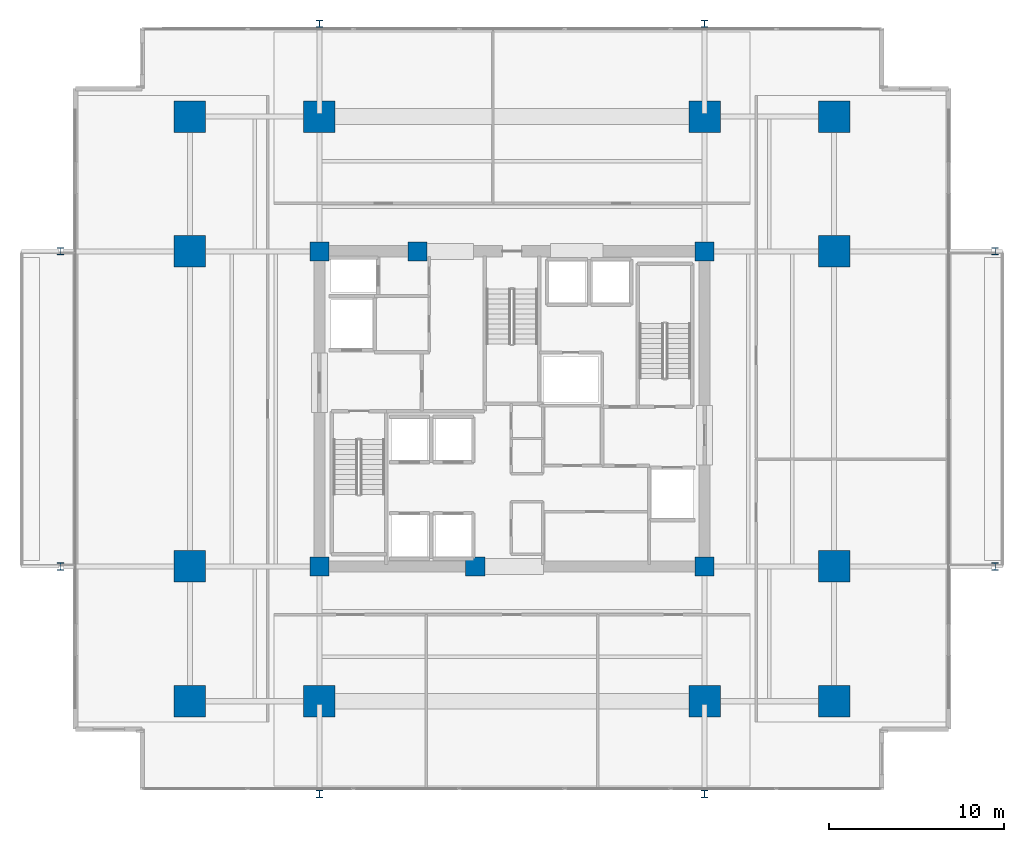
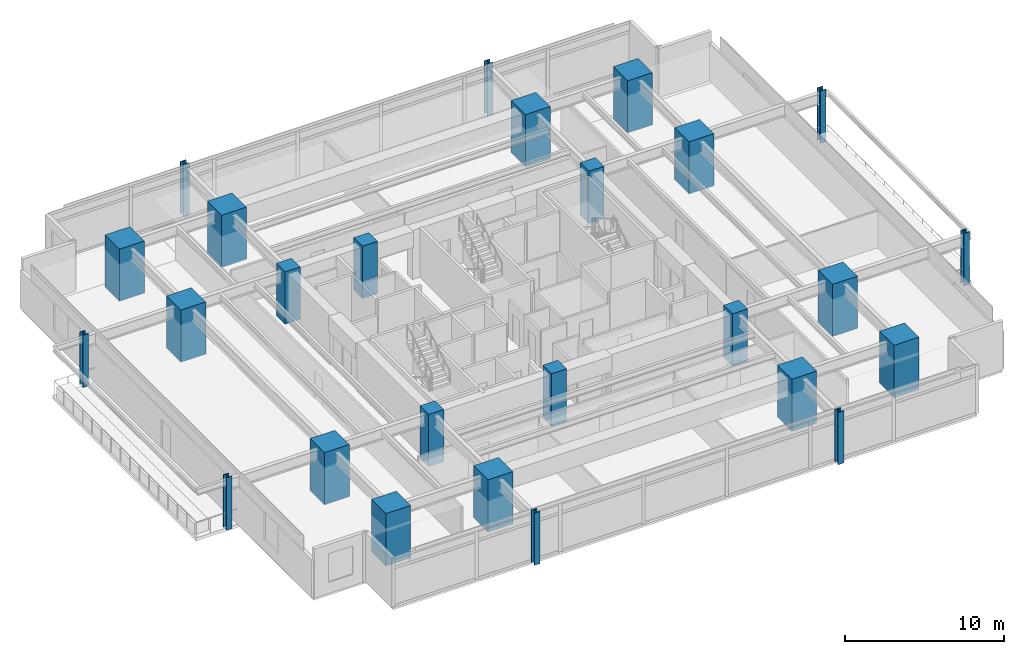
# One storey, part 1 of 21: 26 columns.
"""IFC4 building model written with IfcOpenShell, lengths in metres."""

from ifc_helpers import new_model, si_unit, direction, frame, origin, origin_2d, place, context, subcontext, project, spatial, rectangle, i_section, extrude, material, material_profile, profile_set, type_object, element, save


model = new_model("IFC4")

# Units and contexts
model_context = context("Model", 3, precision=1e-05, world=origin(), true_north=direction((0.0, 1.0)))
body_context = subcontext(model_context, "Body", "Model", "MODEL_VIEW")
ifc_project = project(units=[si_unit("LENGTHUNIT", "METRE"), si_unit("AREAUNIT", "SQUARE_METRE"), si_unit("VOLUMEUNIT", "CUBIC_METRE"), si_unit("PLANEANGLEUNIT", "RADIAN"), si_unit("MASSUNIT", "GRAM", prefix="KILO")], contexts=[model_context])

# Site, building, storey
site_placement = place(None, origin())
site = spatial("IfcSite", under=ifc_project, at=site_placement, CompositionType="ELEMENT")
building_placement = place(site_placement, origin())
building = spatial("IfcBuilding", under=site, at=building_placement, Name="Kovane Verandah Tower", CompositionType="ELEMENT")
storey_placement = place(building_placement, frame((0.0, 0.0, 31.60009765625)))
storey = spatial("IfcBuildingStorey", under=building, at=storey_placement, Name="L06", CompositionType="ELEMENT", Elevation=31.60009765625)

# Columns
ifc_material_1 = material(Name="Concrete C80/95", Category="concrete")
ifc_material_profile_1 = material_profile(ifc_material_1, rectangle(XDim=1.800048828125, YDim=1.800048828125, at=origin_2d()), Name="RC1800x1800")
ifc_profile_set_1 = profile_set([ifc_material_profile_1], Name="Concrete C80/95")
column_type_1 = type_object("IfcColumnType", Name="COL-RC1800", PredefinedType="COLUMN", material=ifc_profile_set_1)
for number, where, z_axis, x_axis, name in (
    (1, (29.0, 10.800048828125, 0.0), (0.0, 0.0, 1.0), (1.0, 0.0, 0.0), "L06 Tower Mega-Column MC-S1"),
    (2, (51.0, 10.800048828125, 0.0), (0.0, 0.0, 1.0), (1.0, 0.0, 0.0), "L06 Tower Mega-Column MC-S2"),
    (3, (29.0, 44.199951171875, 0.0), (0.0, 0.0, 1.0), (1.0, 0.0, 0.0), "L06 Tower Mega-Column MC-N1"),
    (4, (51.0, 44.199951171875, 0.0), (0.0, 0.0, 1.0), (1.0, 0.0, 0.0), "L06 Tower Mega-Column MC-N2"),
    (5, (21.60009765625, 18.5, 0.0), (0.0, 0.0, 1.0), (1.0, 0.0, 0.0), "L06 Tower Mega-Column MC-W1"),
    (6, (21.60009765625, 36.5, 0.0), (0.0, 0.0, 1.0), (1.0, 0.0, 0.0), "L06 Tower Mega-Column MC-W2"),
    (7, (58.39990234375, 18.5, 0.0), (0.0, 0.0, 1.0), (1.0, 0.0, 0.0), "L06 Tower Mega-Column MC-E1"),
    (8, (58.39990234375, 36.5, 0.0), (0.0, 0.0, 1.0), (1.0, 0.0, 0.0), "L06 Tower Mega-Column MC-E2"),
    (9, (21.60009765625, 10.800048828125, 0.0), (0.0, 0.0, 1.0), (1.0, 0.0, 0.0), "L06 Tower Mega-Column MC-SW"),
    (10, (58.39990234375, 10.800048828125, 0.0), (0.0, 0.0, 1.0), (1.0, 0.0, 0.0), "L06 Tower Mega-Column MC-SE"),
    (11, (21.60009765625, 44.199951171875, 0.0), (0.0, 0.0, 1.0), (1.0, 0.0, 0.0), "L06 Tower Mega-Column MC-NW"),
    (12, (58.39990234375, 44.199951171875, 0.0), (0.0, 0.0, 1.0), (1.0, 0.0, 0.0), "L06 Tower Mega-Column MC-NE"),
):
    element("IfcColumn", number, at=place(storey_placement, frame(where, z_axis=z_axis, x_axis=x_axis)), inside=storey, type_object=column_type_1, Name=name, PredefinedType="COLUMN", context=body_context, shape_type="SweptSolid", body=[
        extrude(rectangle(XDim=1.800048828125, YDim=1.800048828125, at=origin_2d()), origin(), (0.0, 0.0, 1.0), 4.0),
    ])
ifc_material_2 = material(Name="Steel S460", Category="steel")
ifc_material_profile_2 = material_profile(ifc_material_2, i_section(OverallWidth=0.412109375, OverallDepth=0.4365234375, WebThickness=0.035888671875, FlangeThickness=0.05810546875, FilletRadius=0.01513671875, at=origin_2d()), Name="UC356x406x467")
ifc_profile_set_2 = profile_set([ifc_material_profile_2], Name="Steel S460")
column_type_2 = type_object("IfcColumnType", Name="COL-UC467", PredefinedType="COLUMN", material=ifc_profile_set_2)
for number, where, z_axis, x_axis, name in (
    (13, (14.199951171875, 18.5, 0.0), (0.0, 0.0, 1.0), (1.0, 0.0, 0.0), "L06 Verandah Perimeter Column VC-W1"),
    (14, (14.199951171875, 36.5, 0.0), (0.0, 0.0, 1.0), (1.0, 0.0, 0.0), "L06 Verandah Perimeter Column VC-W2"),
    (15, (67.60009765625, 18.5, 0.0), (0.0, 0.0, 1.0), (1.0, 0.0, 0.0), "L06 Verandah Perimeter Column VC-E1"),
    (16, (67.60009765625, 36.5, 0.0), (0.0, 0.0, 1.0), (1.0, 0.0, 0.0), "L06 Verandah Perimeter Column VC-E2"),
    (17, (29.0, 5.5, 0.0), (0.0, 0.0, 1.0), (1.0, 0.0, 0.0), "L06 Verandah Perimeter Column VC-S1"),
    (18, (51.0, 5.5, 0.0), (0.0, 0.0, 1.0), (1.0, 0.0, 0.0), "L06 Verandah Perimeter Column VC-S2"),
    (19, (29.0, 49.5, 0.0), (0.0, 0.0, 1.0), (1.0, 0.0, 0.0), "L06 Verandah Perimeter Column VC-N1"),
    (20, (51.0, 49.5, 0.0), (0.0, 0.0, 1.0), (1.0, 0.0, 0.0), "L06 Verandah Perimeter Column VC-N2"),
):
    element("IfcColumn", number, at=place(storey_placement, frame(where, z_axis=z_axis, x_axis=x_axis)), inside=storey, type_object=column_type_2, Name=name, PredefinedType="COLUMN", context=body_context, shape_type="SweptSolid", body=[
        extrude(i_section(OverallWidth=0.412109375, OverallDepth=0.4365234375, WebThickness=0.035888671875, FlangeThickness=0.05810546875, FilletRadius=0.01513671875, at=origin_2d()), origin(), (0.0, 0.0, 1.0), 4.0),
    ])
ifc_material_profile_3 = material_profile(ifc_material_1, rectangle(XDim=1.10009765625, YDim=1.10009765625, at=origin_2d()), Name="RC1100x1100")
ifc_profile_set_3 = profile_set([ifc_material_profile_3], Name="Concrete C80/95")
column_type_3 = type_object("IfcColumnType", Name="PIL-RC1100", PredefinedType="PILASTER", material=ifc_profile_set_3)
for number, where, z_axis, x_axis, name in (
    (21, (29.0, 18.5, 0.0), (0.0, 0.0, 1.0), (1.0, 0.0, 0.0), "L06 Core Pilaster CP-SW"),
    (22, (51.0, 18.5, 0.0), (0.0, 0.0, 1.0), (1.0, 0.0, 0.0), "L06 Core Pilaster CP-SE"),
    (23, (29.0, 36.5, 0.0), (0.0, 0.0, 1.0), (1.0, 0.0, 0.0), "L06 Core Pilaster CP-NW"),
    (24, (51.0, 36.5, 0.0), (0.0, 0.0, 1.0), (1.0, 0.0, 0.0), "L06 Core Pilaster CP-NE"),
    (25, (37.89990234375, 18.5, 0.0), (0.0, 0.0, 1.0), (1.0, 0.0, 0.0), "L06 Core Pilaster CP-S"),
    (26, (34.60009765625, 36.5, 0.0), (0.0, 0.0, 1.0), (1.0, 0.0, 0.0), "L06 Core Pilaster CP-N"),
):
    element("IfcColumn", number, at=place(storey_placement, frame(where, z_axis=z_axis, x_axis=x_axis)), inside=storey, type_object=column_type_3, Name=name, PredefinedType="PILASTER", context=body_context, shape_type="SweptSolid", body=[
        extrude(rectangle(XDim=1.10009765625, YDim=1.10009765625, at=origin_2d()), origin(), (0.0, 0.0, 1.0), 4.0),
    ])

save(model, "model.ifc")
